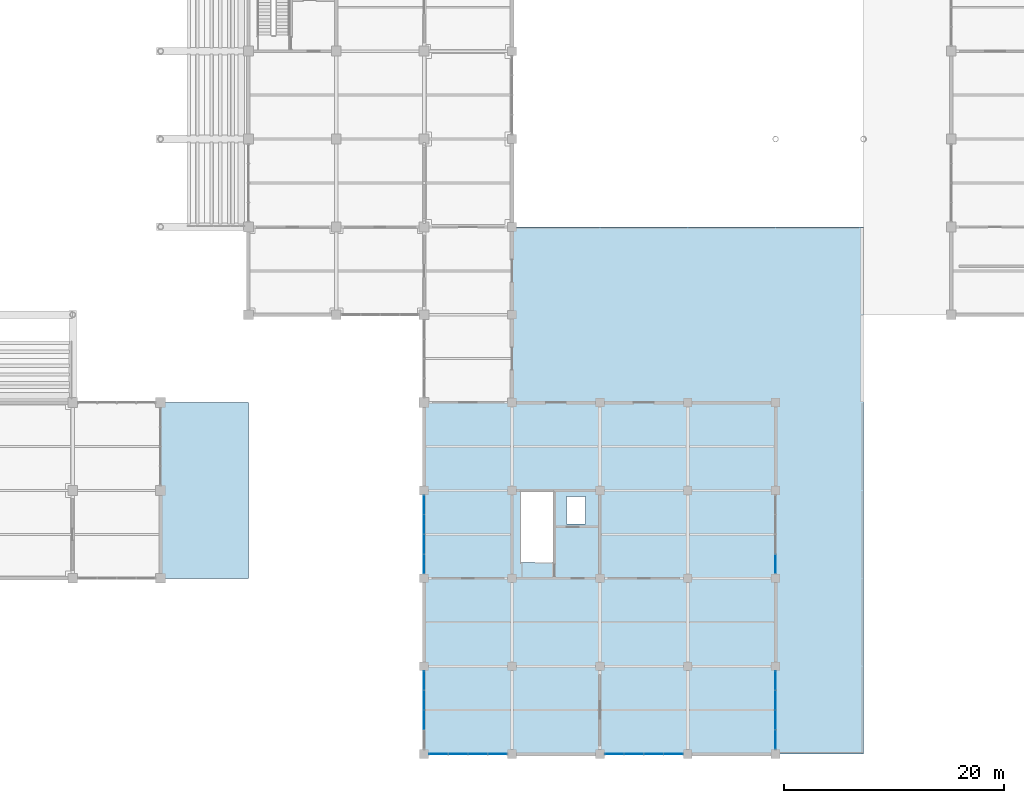
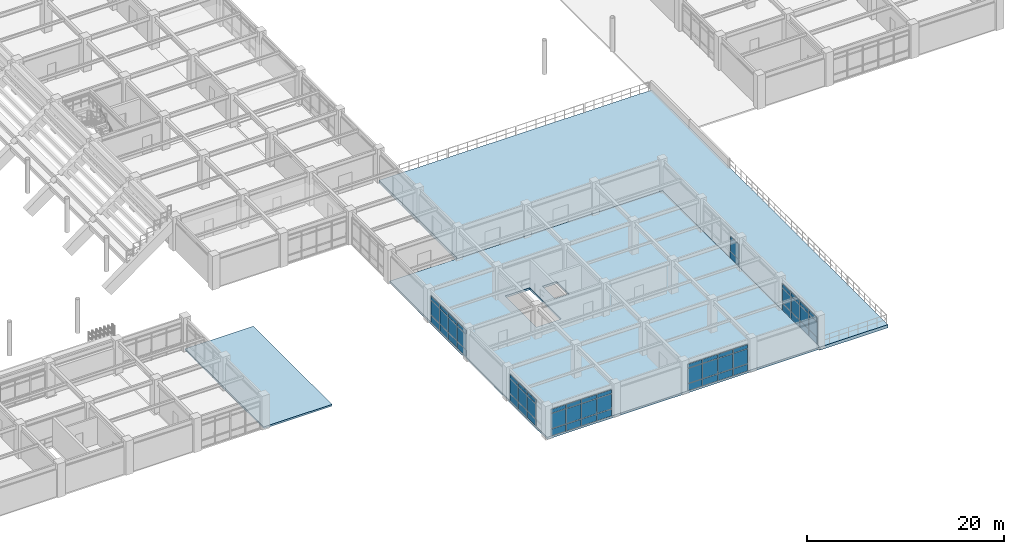
# One storey, part 72 of 118: 59 plates, 3 slabs, 6 elements without a shape of their own.
"""IFC4 building model written with IfcOpenShell, lengths in metres."""

from ifc_helpers import new_model, si_unit, direction, frame, origin, origin_2d, place, context, subcontext, project, spatial, polyline, rectangle, outline, extrude, material, layer, layer_set, type_object, element, aggregate, save


model = new_model("IFC4")

# Units and contexts
model_context = context("Model", 3, precision=1e-05, world=origin(), true_north=direction((0.0, 1.0)))
body_context = subcontext(model_context, "Body", "Model", "MODEL_VIEW")
ifc_project = project(units=[si_unit("LENGTHUNIT", "METRE"), si_unit("AREAUNIT", "SQUARE_METRE"), si_unit("VOLUMEUNIT", "CUBIC_METRE"), si_unit("PLANEANGLEUNIT", "RADIAN"), si_unit("MASSUNIT", "GRAM", prefix="KILO")], contexts=[model_context])

# Site, building, storey
site_placement = place(None, origin())
site = spatial("IfcSite", under=ifc_project, at=site_placement, CompositionType="ELEMENT")
building_placement = place(site_placement, origin())
building = spatial("IfcBuilding", under=site, at=building_placement, Name="Haebicheon Civic Stadium", CompositionType="ELEMENT")
storey_placement = place(building_placement, frame((0.0, 0.0, 14.39990234375)))
storey = spatial("IfcBuildingStorey", under=building, at=storey_placement, Name="L04", CompositionType="ELEMENT", Elevation=14.39990234375)

# Curtain wall, plates
ifc_material_1 = material(Name="Anodised aluminium and laminated glass", Category="aluminium")
ifc_layer_1 = layer(ifc_material_1, 0.179931640625, Name="Anodised aluminium and laminated glass")
ifc_layer_set_1 = layer_set([ifc_layer_1], Name="Anodised aluminium and laminated glass")
curtain_wall_type = type_object("IfcCurtainWallType", Name="CW-7200x3350", PredefinedType="NOTDEFINED", material=ifc_layer_set_1)
curtain_wall_1_placement = place(storey_placement, origin())
curtain_wall_1 = element("IfcCurtainWall", 1, at=curtain_wall_1_placement, inside=storey, type_object=curtain_wall_type, material=ifc_layer_set_1, Name="L04 unitised curtain wall 150", PredefinedType="NOTDEFINED")
ifc_material_2 = material(Name="Double low-e acoustic laminated glass", Category="glass")
ifc_layer_2 = layer(ifc_material_2, 0.035888671875, Name="Double low-e acoustic laminated glass")
ifc_layer_set_2 = layer_set([ifc_layer_2], Name="Double low-e acoustic laminated glass")
plate_type_1 = type_object("IfcPlateType", Name="CWP-GLZ-36", PredefinedType="CURTAIN_PANEL", material=ifc_layer_set_2)
plate_1_placement = place(storey_placement, frame((161.318115234375, 0.0, 0.93505859375), z_axis=(0.0, 0.0, 1.0), x_axis=(1.0, 0.0, 0.0)))
plate_1 = element("IfcPlate", 2, at=plate_1_placement, type_object=plate_type_1, material=ifc_layer_set_2, Name="CW-L04-150 vision panel 1.2", PredefinedType="CURTAIN_PANEL", context=body_context, shape_type="SweptSolid", body=[
    extrude(rectangle(XDim=1.695068359375, YDim=0.035888671875, at=origin_2d()), origin(), (0.0, 0.0, 1.0), 1.830078125),
])
plate_2_placement = place(storey_placement, frame((163.10009765625, 0.0, 0.93505859375), z_axis=(0.0, 0.0, 1.0), x_axis=(1.0, 0.0, 0.0)))
plate_2 = element("IfcPlate", 3, at=plate_2_placement, type_object=plate_type_1, material=ifc_layer_set_2, Name="CW-L04-150 vision panel 2.2", PredefinedType="CURTAIN_PANEL", context=body_context, shape_type="SweptSolid", body=[
    extrude(rectangle(XDim=1.72998046875, YDim=0.035888671875, at=origin_2d()), origin(), (0.0, 0.0, 1.0), 1.830078125),
])
plate_3_placement = place(storey_placement, frame((164.89990234375, 0.0, 0.93505859375), z_axis=(0.0, 0.0, 1.0), x_axis=(1.0, 0.0, 0.0)))
plate_3 = element("IfcPlate", 4, at=plate_3_placement, type_object=plate_type_1, material=ifc_layer_set_2, Name="CW-L04-150 vision panel 3.2", PredefinedType="CURTAIN_PANEL", context=body_context, shape_type="SweptSolid", body=[
    extrude(rectangle(XDim=1.72998046875, YDim=0.035888671875, at=origin_2d()), origin(), (0.0, 0.0, 1.0), 1.830078125),
])
plate_4_placement = place(storey_placement, frame((166.681884765625, 0.0, 0.93505859375), z_axis=(0.0, 0.0, 1.0), x_axis=(1.0, 0.0, 0.0)))
plate_4 = element("IfcPlate", 5, at=plate_4_placement, type_object=plate_type_1, material=ifc_layer_set_2, Name="CW-L04-150 vision panel 4.2", PredefinedType="CURTAIN_PANEL", context=body_context, shape_type="SweptSolid", body=[
    extrude(rectangle(XDim=1.695068359375, YDim=0.035888671875, at=origin_2d()), origin(), (0.0, 0.0, 1.0), 1.830078125),
])

curtain_wall_2_placement = place(storey_placement, origin())
curtain_wall_2 = element("IfcCurtainWall", 6, at=curtain_wall_2_placement, inside=storey, type_object=curtain_wall_type, material=ifc_layer_set_1, Name="L04 unitised curtain wall 151", PredefinedType="NOTDEFINED")
plate_5_placement = place(storey_placement, frame((160.0, 3.10009765625, 0.93505859375), z_axis=(0.0, 0.0, 1.0), x_axis=(0.0, 1.0, 0.0)))
plate_5 = element("IfcPlate", 7, at=plate_5_placement, type_object=plate_type_1, material=ifc_layer_set_2, Name="CW-L04-151 vision panel 2.2", PredefinedType="CURTAIN_PANEL", context=body_context, shape_type="SweptSolid", body=[
    extrude(rectangle(XDim=1.72998046875, YDim=0.035888671875, at=origin_2d()), origin(), (0.0, 0.0, 1.0), 1.830078125),
])
plate_6_placement = place(storey_placement, frame((160.0, 4.89990234375, 0.93505859375), z_axis=(0.0, 0.0, 1.0), x_axis=(0.0, 1.0, 0.0)))
plate_6 = element("IfcPlate", 8, at=plate_6_placement, type_object=plate_type_1, material=ifc_layer_set_2, Name="CW-L04-151 vision panel 3.2", PredefinedType="CURTAIN_PANEL", context=body_context, shape_type="SweptSolid", body=[
    extrude(rectangle(XDim=1.72998046875, YDim=0.035888671875, at=origin_2d()), origin(), (0.0, 0.0, 1.0), 1.830078125),
])
plate_7_placement = place(storey_placement, frame((160.0, 6.681884765625, 0.93505859375), z_axis=(0.0, 0.0, 1.0), x_axis=(0.0, 1.0, 0.0)))
plate_7 = element("IfcPlate", 9, at=plate_7_placement, type_object=plate_type_1, material=ifc_layer_set_2, Name="CW-L04-151 vision panel 4.2", PredefinedType="CURTAIN_PANEL", context=body_context, shape_type="SweptSolid", body=[
    extrude(rectangle(XDim=1.695068359375, YDim=0.035888671875, at=origin_2d()), origin(), (0.0, 0.0, 1.0), 1.830078125),
])

curtain_wall_3_placement = place(storey_placement, origin())
curtain_wall_3 = element("IfcCurtainWall", 10, at=curtain_wall_3_placement, inside=storey, type_object=curtain_wall_type, material=ifc_layer_set_1, Name="L04 unitised curtain wall 152", PredefinedType="NOTDEFINED")
plate_8_placement = place(storey_placement, frame((160.0, 17.318115234375, 0.93505859375), z_axis=(0.0, 0.0, 1.0), x_axis=(0.0, 1.0, 0.0)))
plate_8 = element("IfcPlate", 11, at=plate_8_placement, type_object=plate_type_1, material=ifc_layer_set_2, Name="CW-L04-152 vision panel 1.2", PredefinedType="CURTAIN_PANEL", context=body_context, shape_type="SweptSolid", body=[
    extrude(rectangle(XDim=1.695068359375, YDim=0.035888671875, at=origin_2d()), origin(), (0.0, 0.0, 1.0), 1.830078125),
])
plate_9_placement = place(storey_placement, frame((160.0, 19.10009765625, 0.93505859375), z_axis=(0.0, 0.0, 1.0), x_axis=(0.0, 1.0, 0.0)))
plate_9 = element("IfcPlate", 12, at=plate_9_placement, type_object=plate_type_1, material=ifc_layer_set_2, Name="CW-L04-152 vision panel 2.2", PredefinedType="CURTAIN_PANEL", context=body_context, shape_type="SweptSolid", body=[
    extrude(rectangle(XDim=1.72998046875, YDim=0.035888671875, at=origin_2d()), origin(), (0.0, 0.0, 1.0), 1.830078125),
])
plate_10_placement = place(storey_placement, frame((160.0, 20.89990234375, 0.93505859375), z_axis=(0.0, 0.0, 1.0), x_axis=(0.0, 1.0, 0.0)))
plate_10 = element("IfcPlate", 13, at=plate_10_placement, type_object=plate_type_1, material=ifc_layer_set_2, Name="CW-L04-152 vision panel 3.2", PredefinedType="CURTAIN_PANEL", context=body_context, shape_type="SweptSolid", body=[
    extrude(rectangle(XDim=1.72998046875, YDim=0.035888671875, at=origin_2d()), origin(), (0.0, 0.0, 1.0), 1.830078125),
])
plate_11_placement = place(storey_placement, frame((160.0, 22.681884765625, 0.93505859375), z_axis=(0.0, 0.0, 1.0), x_axis=(0.0, 1.0, 0.0)))
plate_11 = element("IfcPlate", 14, at=plate_11_placement, type_object=plate_type_1, material=ifc_layer_set_2, Name="CW-L04-152 vision panel 4.2", PredefinedType="CURTAIN_PANEL", context=body_context, shape_type="SweptSolid", body=[
    extrude(rectangle(XDim=1.695068359375, YDim=0.035888671875, at=origin_2d()), origin(), (0.0, 0.0, 1.0), 1.830078125),
])

curtain_wall_4_placement = place(storey_placement, origin())
curtain_wall_4 = element("IfcCurtainWall", 15, at=curtain_wall_4_placement, inside=storey, type_object=curtain_wall_type, material=ifc_layer_set_1, Name="L04 unitised curtain wall 162", PredefinedType="NOTDEFINED")
plate_12_placement = place(storey_placement, frame((177.318115234375, 0.0, 0.93505859375), z_axis=(0.0, 0.0, 1.0), x_axis=(1.0, 0.0, 0.0)))
plate_12 = element("IfcPlate", 16, at=plate_12_placement, type_object=plate_type_1, material=ifc_layer_set_2, Name="CW-L04-162 vision panel 1.2", PredefinedType="CURTAIN_PANEL", context=body_context, shape_type="SweptSolid", body=[
    extrude(rectangle(XDim=1.695068359375, YDim=0.035888671875, at=origin_2d()), origin(), (0.0, 0.0, 1.0), 1.830078125),
])
plate_13_placement = place(storey_placement, frame((179.10009765625, 0.0, 0.93505859375), z_axis=(0.0, 0.0, 1.0), x_axis=(1.0, 0.0, 0.0)))
plate_13 = element("IfcPlate", 17, at=plate_13_placement, type_object=plate_type_1, material=ifc_layer_set_2, Name="CW-L04-162 vision panel 2.2", PredefinedType="CURTAIN_PANEL", context=body_context, shape_type="SweptSolid", body=[
    extrude(rectangle(XDim=1.72998046875, YDim=0.035888671875, at=origin_2d()), origin(), (0.0, 0.0, 1.0), 1.830078125),
])
plate_14_placement = place(storey_placement, frame((180.89990234375, 0.0, 0.93505859375), z_axis=(0.0, 0.0, 1.0), x_axis=(1.0, 0.0, 0.0)))
plate_14 = element("IfcPlate", 18, at=plate_14_placement, type_object=plate_type_1, material=ifc_layer_set_2, Name="CW-L04-162 vision panel 3.2", PredefinedType="CURTAIN_PANEL", context=body_context, shape_type="SweptSolid", body=[
    extrude(rectangle(XDim=1.72998046875, YDim=0.035888671875, at=origin_2d()), origin(), (0.0, 0.0, 1.0), 1.830078125),
])
plate_15_placement = place(storey_placement, frame((182.681884765625, 0.0, 0.93505859375), z_axis=(0.0, 0.0, 1.0), x_axis=(1.0, 0.0, 0.0)))
plate_15 = element("IfcPlate", 19, at=plate_15_placement, type_object=plate_type_1, material=ifc_layer_set_2, Name="CW-L04-162 vision panel 4.2", PredefinedType="CURTAIN_PANEL", context=body_context, shape_type="SweptSolid", body=[
    extrude(rectangle(XDim=1.695068359375, YDim=0.035888671875, at=origin_2d()), origin(), (0.0, 0.0, 1.0), 1.830078125),
])

curtain_wall_5_placement = place(storey_placement, origin())
curtain_wall_5 = element("IfcCurtainWall", 20, at=curtain_wall_5_placement, inside=storey, type_object=curtain_wall_type, material=ifc_layer_set_1, Name="L04 unitised curtain wall 165", PredefinedType="NOTDEFINED")
plate_16_placement = place(storey_placement, frame((192.0, 1.318115234375, 0.93505859375), z_axis=(0.0, 0.0, 1.0), x_axis=(0.0, 1.0, 0.0)))
plate_16 = element("IfcPlate", 21, at=plate_16_placement, type_object=plate_type_1, material=ifc_layer_set_2, Name="CW-L04-165 vision panel 1.2", PredefinedType="CURTAIN_PANEL", context=body_context, shape_type="SweptSolid", body=[
    extrude(rectangle(XDim=1.695068359375, YDim=0.035888671875, at=origin_2d()), origin(), (0.0, 0.0, 1.0), 1.830078125),
])
plate_17_placement = place(storey_placement, frame((192.0, 3.10009765625, 0.93505859375), z_axis=(0.0, 0.0, 1.0), x_axis=(0.0, 1.0, 0.0)))
plate_17 = element("IfcPlate", 22, at=plate_17_placement, type_object=plate_type_1, material=ifc_layer_set_2, Name="CW-L04-165 vision panel 2.2", PredefinedType="CURTAIN_PANEL", context=body_context, shape_type="SweptSolid", body=[
    extrude(rectangle(XDim=1.72998046875, YDim=0.035888671875, at=origin_2d()), origin(), (0.0, 0.0, 1.0), 1.830078125),
])
plate_18_placement = place(storey_placement, frame((192.0, 4.89990234375, 0.93505859375), z_axis=(0.0, 0.0, 1.0), x_axis=(0.0, 1.0, 0.0)))
plate_18 = element("IfcPlate", 23, at=plate_18_placement, type_object=plate_type_1, material=ifc_layer_set_2, Name="CW-L04-165 vision panel 3.2", PredefinedType="CURTAIN_PANEL", context=body_context, shape_type="SweptSolid", body=[
    extrude(rectangle(XDim=1.72998046875, YDim=0.035888671875, at=origin_2d()), origin(), (0.0, 0.0, 1.0), 1.830078125),
])
plate_19_placement = place(storey_placement, frame((192.0, 6.681884765625, 0.93505859375), z_axis=(0.0, 0.0, 1.0), x_axis=(0.0, 1.0, 0.0)))
plate_19 = element("IfcPlate", 24, at=plate_19_placement, type_object=plate_type_1, material=ifc_layer_set_2, Name="CW-L04-165 vision panel 4.2", PredefinedType="CURTAIN_PANEL", context=body_context, shape_type="SweptSolid", body=[
    extrude(rectangle(XDim=1.695068359375, YDim=0.035888671875, at=origin_2d()), origin(), (0.0, 0.0, 1.0), 1.830078125),
])

# Curtain wall, plate
curtain_wall_6_placement = place(storey_placement, origin())
curtain_wall_6 = element("IfcCurtainWall", 25, at=curtain_wall_6_placement, inside=storey, type_object=curtain_wall_type, material=ifc_layer_set_1, Name="L04 unitised curtain wall 166", PredefinedType="NOTDEFINED")
plate_20_placement = place(storey_placement, frame((192.0, 17.318115234375, 0.93505859375), z_axis=(0.0, 0.0, 1.0), x_axis=(0.0, 1.0, 0.0)))
plate_20 = element("IfcPlate", 26, at=plate_20_placement, type_object=plate_type_1, material=ifc_layer_set_2, Name="CW-L04-166 vision panel 1.2", PredefinedType="CURTAIN_PANEL", context=body_context, shape_type="SweptSolid", body=[
    extrude(rectangle(XDim=1.695068359375, YDim=0.035888671875, at=origin_2d()), origin(), (0.0, 0.0, 1.0), 1.830078125),
])

# Plate
ifc_material_3 = material(Name="Anodised aluminium 6063-T6", Category="aluminium")
ifc_layer_3 = layer(ifc_material_3, 0.053955078125, Name="Anodised aluminium 6063-T6")
ifc_layer_set_3 = layer_set([ifc_layer_3], Name="Anodised aluminium 6063-T6")
plate_type_2 = type_object("IfcPlateType", Name="CWP-SPD-54", PredefinedType="CURTAIN_PANEL", material=ifc_layer_set_3)
plate_21_placement = place(storey_placement, frame((161.318115234375, 0.0, 0.03515625), z_axis=(0.0, 0.0, 1.0), x_axis=(1.0, 0.0, 0.0)))
plate_21 = element("IfcPlate", 27, at=plate_21_placement, type_object=plate_type_2, material=ifc_layer_set_3, Name="CW-L04-150 spandrel panel 1.1", PredefinedType="CURTAIN_PANEL", context=body_context, shape_type="SweptSolid", body=[
    extrude(rectangle(XDim=1.695068359375, YDim=0.053955078125, at=origin_2d()), origin(), (0.0, 0.0, 1.0), 0.830078125),
])

plate_22_placement = place(storey_placement, frame((161.318115234375, 0.0, 2.835205078125), z_axis=(0.0, 0.0, 1.0), x_axis=(1.0, 0.0, 0.0)))
plate_22 = element("IfcPlate", 28, at=plate_22_placement, type_object=plate_type_2, material=ifc_layer_set_3, Name="CW-L04-150 spandrel panel 1.3", PredefinedType="CURTAIN_PANEL", context=body_context, shape_type="SweptSolid", body=[
    extrude(rectangle(XDim=1.695068359375, YDim=0.053955078125, at=origin_2d()), origin(), (0.0, 0.0, 1.0), 0.47998046875),
])

plate_23_placement = place(storey_placement, frame((163.10009765625, 0.0, 0.03515625), z_axis=(0.0, 0.0, 1.0), x_axis=(1.0, 0.0, 0.0)))
plate_23 = element("IfcPlate", 29, at=plate_23_placement, type_object=plate_type_2, material=ifc_layer_set_3, Name="CW-L04-150 spandrel panel 2.1", PredefinedType="CURTAIN_PANEL", context=body_context, shape_type="SweptSolid", body=[
    extrude(rectangle(XDim=1.72998046875, YDim=0.053955078125, at=origin_2d()), origin(), (0.0, 0.0, 1.0), 0.830078125),
])

plate_24_placement = place(storey_placement, frame((163.10009765625, 0.0, 2.835205078125), z_axis=(0.0, 0.0, 1.0), x_axis=(1.0, 0.0, 0.0)))
plate_24 = element("IfcPlate", 30, at=plate_24_placement, type_object=plate_type_2, material=ifc_layer_set_3, Name="CW-L04-150 spandrel panel 2.3", PredefinedType="CURTAIN_PANEL", context=body_context, shape_type="SweptSolid", body=[
    extrude(rectangle(XDim=1.72998046875, YDim=0.053955078125, at=origin_2d()), origin(), (0.0, 0.0, 1.0), 0.47998046875),
])

plate_25_placement = place(storey_placement, frame((164.89990234375, 0.0, 0.03515625), z_axis=(0.0, 0.0, 1.0), x_axis=(1.0, 0.0, 0.0)))
plate_25 = element("IfcPlate", 31, at=plate_25_placement, type_object=plate_type_2, material=ifc_layer_set_3, Name="CW-L04-150 spandrel panel 3.1", PredefinedType="CURTAIN_PANEL", context=body_context, shape_type="SweptSolid", body=[
    extrude(rectangle(XDim=1.72998046875, YDim=0.053955078125, at=origin_2d()), origin(), (0.0, 0.0, 1.0), 0.830078125),
])

plate_26_placement = place(storey_placement, frame((164.89990234375, 0.0, 2.835205078125), z_axis=(0.0, 0.0, 1.0), x_axis=(1.0, 0.0, 0.0)))
plate_26 = element("IfcPlate", 32, at=plate_26_placement, type_object=plate_type_2, material=ifc_layer_set_3, Name="CW-L04-150 spandrel panel 3.3", PredefinedType="CURTAIN_PANEL", context=body_context, shape_type="SweptSolid", body=[
    extrude(rectangle(XDim=1.72998046875, YDim=0.053955078125, at=origin_2d()), origin(), (0.0, 0.0, 1.0), 0.47998046875),
])

plate_27_placement = place(storey_placement, frame((166.681884765625, 0.0, 0.03515625), z_axis=(0.0, 0.0, 1.0), x_axis=(1.0, 0.0, 0.0)))
plate_27 = element("IfcPlate", 33, at=plate_27_placement, type_object=plate_type_2, material=ifc_layer_set_3, Name="CW-L04-150 spandrel panel 4.1", PredefinedType="CURTAIN_PANEL", context=body_context, shape_type="SweptSolid", body=[
    extrude(rectangle(XDim=1.695068359375, YDim=0.053955078125, at=origin_2d()), origin(), (0.0, 0.0, 1.0), 0.830078125),
])

plate_28_placement = place(storey_placement, frame((166.681884765625, 0.0, 2.835205078125), z_axis=(0.0, 0.0, 1.0), x_axis=(1.0, 0.0, 0.0)))
plate_28 = element("IfcPlate", 34, at=plate_28_placement, type_object=plate_type_2, material=ifc_layer_set_3, Name="CW-L04-150 spandrel panel 4.3", PredefinedType="CURTAIN_PANEL", context=body_context, shape_type="SweptSolid", body=[
    extrude(rectangle(XDim=1.695068359375, YDim=0.053955078125, at=origin_2d()), origin(), (0.0, 0.0, 1.0), 0.47998046875),
])

aggregate(curtain_wall_1, [plate_21, plate_1, plate_22, plate_23, plate_2, plate_24, plate_25, plate_3, plate_26, plate_27, plate_4, plate_28])

plate_29_placement = place(storey_placement, frame((160.0, 3.10009765625, 0.03515625), z_axis=(0.0, 0.0, 1.0), x_axis=(0.0, 1.0, 0.0)))
plate_29 = element("IfcPlate", 35, at=plate_29_placement, type_object=plate_type_2, material=ifc_layer_set_3, Name="CW-L04-151 spandrel panel 2.1", PredefinedType="CURTAIN_PANEL", context=body_context, shape_type="SweptSolid", body=[
    extrude(rectangle(XDim=1.72998046875, YDim=0.053955078125, at=origin_2d()), origin(), (0.0, 0.0, 1.0), 0.830078125),
])

plate_30_placement = place(storey_placement, frame((160.0, 3.10009765625, 2.835205078125), z_axis=(0.0, 0.0, 1.0), x_axis=(0.0, 1.0, 0.0)))
plate_30 = element("IfcPlate", 36, at=plate_30_placement, type_object=plate_type_2, material=ifc_layer_set_3, Name="CW-L04-151 spandrel panel 2.3", PredefinedType="CURTAIN_PANEL", context=body_context, shape_type="SweptSolid", body=[
    extrude(rectangle(XDim=1.72998046875, YDim=0.053955078125, at=origin_2d()), origin(), (0.0, 0.0, 1.0), 0.47998046875),
])

plate_31_placement = place(storey_placement, frame((160.0, 4.89990234375, 0.03515625), z_axis=(0.0, 0.0, 1.0), x_axis=(0.0, 1.0, 0.0)))
plate_31 = element("IfcPlate", 37, at=plate_31_placement, type_object=plate_type_2, material=ifc_layer_set_3, Name="CW-L04-151 spandrel panel 3.1", PredefinedType="CURTAIN_PANEL", context=body_context, shape_type="SweptSolid", body=[
    extrude(rectangle(XDim=1.72998046875, YDim=0.053955078125, at=origin_2d()), origin(), (0.0, 0.0, 1.0), 0.830078125),
])

plate_32_placement = place(storey_placement, frame((160.0, 4.89990234375, 2.835205078125), z_axis=(0.0, 0.0, 1.0), x_axis=(0.0, 1.0, 0.0)))
plate_32 = element("IfcPlate", 38, at=plate_32_placement, type_object=plate_type_2, material=ifc_layer_set_3, Name="CW-L04-151 spandrel panel 3.3", PredefinedType="CURTAIN_PANEL", context=body_context, shape_type="SweptSolid", body=[
    extrude(rectangle(XDim=1.72998046875, YDim=0.053955078125, at=origin_2d()), origin(), (0.0, 0.0, 1.0), 0.47998046875),
])

plate_33_placement = place(storey_placement, frame((160.0, 6.681884765625, 0.03515625), z_axis=(0.0, 0.0, 1.0), x_axis=(0.0, 1.0, 0.0)))
plate_33 = element("IfcPlate", 39, at=plate_33_placement, type_object=plate_type_2, material=ifc_layer_set_3, Name="CW-L04-151 spandrel panel 4.1", PredefinedType="CURTAIN_PANEL", context=body_context, shape_type="SweptSolid", body=[
    extrude(rectangle(XDim=1.695068359375, YDim=0.053955078125, at=origin_2d()), origin(), (0.0, 0.0, 1.0), 0.830078125),
])

plate_34_placement = place(storey_placement, frame((160.0, 6.681884765625, 2.835205078125), z_axis=(0.0, 0.0, 1.0), x_axis=(0.0, 1.0, 0.0)))
plate_34 = element("IfcPlate", 40, at=plate_34_placement, type_object=plate_type_2, material=ifc_layer_set_3, Name="CW-L04-151 spandrel panel 4.3", PredefinedType="CURTAIN_PANEL", context=body_context, shape_type="SweptSolid", body=[
    extrude(rectangle(XDim=1.695068359375, YDim=0.053955078125, at=origin_2d()), origin(), (0.0, 0.0, 1.0), 0.47998046875),
])

aggregate(curtain_wall_2, [plate_29, plate_5, plate_30, plate_31, plate_6, plate_32, plate_33, plate_7, plate_34])

plate_35_placement = place(storey_placement, frame((160.0, 17.318115234375, 0.03515625), z_axis=(0.0, 0.0, 1.0), x_axis=(0.0, 1.0, 0.0)))
plate_35 = element("IfcPlate", 41, at=plate_35_placement, type_object=plate_type_2, material=ifc_layer_set_3, Name="CW-L04-152 spandrel panel 1.1", PredefinedType="CURTAIN_PANEL", context=body_context, shape_type="SweptSolid", body=[
    extrude(rectangle(XDim=1.695068359375, YDim=0.053955078125, at=origin_2d()), origin(), (0.0, 0.0, 1.0), 0.830078125),
])

plate_36_placement = place(storey_placement, frame((160.0, 17.318115234375, 2.835205078125), z_axis=(0.0, 0.0, 1.0), x_axis=(0.0, 1.0, 0.0)))
plate_36 = element("IfcPlate", 42, at=plate_36_placement, type_object=plate_type_2, material=ifc_layer_set_3, Name="CW-L04-152 spandrel panel 1.3", PredefinedType="CURTAIN_PANEL", context=body_context, shape_type="SweptSolid", body=[
    extrude(rectangle(XDim=1.695068359375, YDim=0.053955078125, at=origin_2d()), origin(), (0.0, 0.0, 1.0), 0.47998046875),
])

plate_37_placement = place(storey_placement, frame((160.0, 19.10009765625, 0.03515625), z_axis=(0.0, 0.0, 1.0), x_axis=(0.0, 1.0, 0.0)))
plate_37 = element("IfcPlate", 43, at=plate_37_placement, type_object=plate_type_2, material=ifc_layer_set_3, Name="CW-L04-152 spandrel panel 2.1", PredefinedType="CURTAIN_PANEL", context=body_context, shape_type="SweptSolid", body=[
    extrude(rectangle(XDim=1.72998046875, YDim=0.053955078125, at=origin_2d()), origin(), (0.0, 0.0, 1.0), 0.830078125),
])

plate_38_placement = place(storey_placement, frame((160.0, 19.10009765625, 2.835205078125), z_axis=(0.0, 0.0, 1.0), x_axis=(0.0, 1.0, 0.0)))
plate_38 = element("IfcPlate", 44, at=plate_38_placement, type_object=plate_type_2, material=ifc_layer_set_3, Name="CW-L04-152 spandrel panel 2.3", PredefinedType="CURTAIN_PANEL", context=body_context, shape_type="SweptSolid", body=[
    extrude(rectangle(XDim=1.72998046875, YDim=0.053955078125, at=origin_2d()), origin(), (0.0, 0.0, 1.0), 0.47998046875),
])

plate_39_placement = place(storey_placement, frame((160.0, 20.89990234375, 0.03515625), z_axis=(0.0, 0.0, 1.0), x_axis=(0.0, 1.0, 0.0)))
plate_39 = element("IfcPlate", 45, at=plate_39_placement, type_object=plate_type_2, material=ifc_layer_set_3, Name="CW-L04-152 spandrel panel 3.1", PredefinedType="CURTAIN_PANEL", context=body_context, shape_type="SweptSolid", body=[
    extrude(rectangle(XDim=1.72998046875, YDim=0.053955078125, at=origin_2d()), origin(), (0.0, 0.0, 1.0), 0.830078125),
])

plate_40_placement = place(storey_placement, frame((160.0, 20.89990234375, 2.835205078125), z_axis=(0.0, 0.0, 1.0), x_axis=(0.0, 1.0, 0.0)))
plate_40 = element("IfcPlate", 46, at=plate_40_placement, type_object=plate_type_2, material=ifc_layer_set_3, Name="CW-L04-152 spandrel panel 3.3", PredefinedType="CURTAIN_PANEL", context=body_context, shape_type="SweptSolid", body=[
    extrude(rectangle(XDim=1.72998046875, YDim=0.053955078125, at=origin_2d()), origin(), (0.0, 0.0, 1.0), 0.47998046875),
])

plate_41_placement = place(storey_placement, frame((160.0, 22.681884765625, 0.03515625), z_axis=(0.0, 0.0, 1.0), x_axis=(0.0, 1.0, 0.0)))
plate_41 = element("IfcPlate", 47, at=plate_41_placement, type_object=plate_type_2, material=ifc_layer_set_3, Name="CW-L04-152 spandrel panel 4.1", PredefinedType="CURTAIN_PANEL", context=body_context, shape_type="SweptSolid", body=[
    extrude(rectangle(XDim=1.695068359375, YDim=0.053955078125, at=origin_2d()), origin(), (0.0, 0.0, 1.0), 0.830078125),
])

plate_42_placement = place(storey_placement, frame((160.0, 22.681884765625, 2.835205078125), z_axis=(0.0, 0.0, 1.0), x_axis=(0.0, 1.0, 0.0)))
plate_42 = element("IfcPlate", 48, at=plate_42_placement, type_object=plate_type_2, material=ifc_layer_set_3, Name="CW-L04-152 spandrel panel 4.3", PredefinedType="CURTAIN_PANEL", context=body_context, shape_type="SweptSolid", body=[
    extrude(rectangle(XDim=1.695068359375, YDim=0.053955078125, at=origin_2d()), origin(), (0.0, 0.0, 1.0), 0.47998046875),
])

aggregate(curtain_wall_3, [plate_35, plate_8, plate_36, plate_37, plate_9, plate_38, plate_39, plate_10, plate_40, plate_41, plate_11, plate_42])

plate_43_placement = place(storey_placement, frame((177.318115234375, 0.0, 0.03515625), z_axis=(0.0, 0.0, 1.0), x_axis=(1.0, 0.0, 0.0)))
plate_43 = element("IfcPlate", 49, at=plate_43_placement, type_object=plate_type_2, material=ifc_layer_set_3, Name="CW-L04-162 spandrel panel 1.1", PredefinedType="CURTAIN_PANEL", context=body_context, shape_type="SweptSolid", body=[
    extrude(rectangle(XDim=1.695068359375, YDim=0.053955078125, at=origin_2d()), origin(), (0.0, 0.0, 1.0), 0.830078125),
])

plate_44_placement = place(storey_placement, frame((177.318115234375, 0.0, 2.835205078125), z_axis=(0.0, 0.0, 1.0), x_axis=(1.0, 0.0, 0.0)))
plate_44 = element("IfcPlate", 50, at=plate_44_placement, type_object=plate_type_2, material=ifc_layer_set_3, Name="CW-L04-162 spandrel panel 1.3", PredefinedType="CURTAIN_PANEL", context=body_context, shape_type="SweptSolid", body=[
    extrude(rectangle(XDim=1.695068359375, YDim=0.053955078125, at=origin_2d()), origin(), (0.0, 0.0, 1.0), 0.47998046875),
])

plate_45_placement = place(storey_placement, frame((179.10009765625, 0.0, 0.03515625), z_axis=(0.0, 0.0, 1.0), x_axis=(1.0, 0.0, 0.0)))
plate_45 = element("IfcPlate", 51, at=plate_45_placement, type_object=plate_type_2, material=ifc_layer_set_3, Name="CW-L04-162 spandrel panel 2.1", PredefinedType="CURTAIN_PANEL", context=body_context, shape_type="SweptSolid", body=[
    extrude(rectangle(XDim=1.72998046875, YDim=0.053955078125, at=origin_2d()), origin(), (0.0, 0.0, 1.0), 0.830078125),
])

plate_46_placement = place(storey_placement, frame((179.10009765625, 0.0, 2.835205078125), z_axis=(0.0, 0.0, 1.0), x_axis=(1.0, 0.0, 0.0)))
plate_46 = element("IfcPlate", 52, at=plate_46_placement, type_object=plate_type_2, material=ifc_layer_set_3, Name="CW-L04-162 spandrel panel 2.3", PredefinedType="CURTAIN_PANEL", context=body_context, shape_type="SweptSolid", body=[
    extrude(rectangle(XDim=1.72998046875, YDim=0.053955078125, at=origin_2d()), origin(), (0.0, 0.0, 1.0), 0.47998046875),
])

plate_47_placement = place(storey_placement, frame((180.89990234375, 0.0, 0.03515625), z_axis=(0.0, 0.0, 1.0), x_axis=(1.0, 0.0, 0.0)))
plate_47 = element("IfcPlate", 53, at=plate_47_placement, type_object=plate_type_2, material=ifc_layer_set_3, Name="CW-L04-162 spandrel panel 3.1", PredefinedType="CURTAIN_PANEL", context=body_context, shape_type="SweptSolid", body=[
    extrude(rectangle(XDim=1.72998046875, YDim=0.053955078125, at=origin_2d()), origin(), (0.0, 0.0, 1.0), 0.830078125),
])

plate_48_placement = place(storey_placement, frame((180.89990234375, 0.0, 2.835205078125), z_axis=(0.0, 0.0, 1.0), x_axis=(1.0, 0.0, 0.0)))
plate_48 = element("IfcPlate", 54, at=plate_48_placement, type_object=plate_type_2, material=ifc_layer_set_3, Name="CW-L04-162 spandrel panel 3.3", PredefinedType="CURTAIN_PANEL", context=body_context, shape_type="SweptSolid", body=[
    extrude(rectangle(XDim=1.72998046875, YDim=0.053955078125, at=origin_2d()), origin(), (0.0, 0.0, 1.0), 0.47998046875),
])

plate_49_placement = place(storey_placement, frame((182.681884765625, 0.0, 0.03515625), z_axis=(0.0, 0.0, 1.0), x_axis=(1.0, 0.0, 0.0)))
plate_49 = element("IfcPlate", 55, at=plate_49_placement, type_object=plate_type_2, material=ifc_layer_set_3, Name="CW-L04-162 spandrel panel 4.1", PredefinedType="CURTAIN_PANEL", context=body_context, shape_type="SweptSolid", body=[
    extrude(rectangle(XDim=1.695068359375, YDim=0.053955078125, at=origin_2d()), origin(), (0.0, 0.0, 1.0), 0.830078125),
])

plate_50_placement = place(storey_placement, frame((182.681884765625, 0.0, 2.835205078125), z_axis=(0.0, 0.0, 1.0), x_axis=(1.0, 0.0, 0.0)))
plate_50 = element("IfcPlate", 56, at=plate_50_placement, type_object=plate_type_2, material=ifc_layer_set_3, Name="CW-L04-162 spandrel panel 4.3", PredefinedType="CURTAIN_PANEL", context=body_context, shape_type="SweptSolid", body=[
    extrude(rectangle(XDim=1.695068359375, YDim=0.053955078125, at=origin_2d()), origin(), (0.0, 0.0, 1.0), 0.47998046875),
])

aggregate(curtain_wall_4, [plate_43, plate_12, plate_44, plate_45, plate_13, plate_46, plate_47, plate_14, plate_48, plate_49, plate_15, plate_50])

plate_51_placement = place(storey_placement, frame((192.0, 1.318115234375, 0.03515625), z_axis=(0.0, 0.0, 1.0), x_axis=(0.0, 1.0, 0.0)))
plate_51 = element("IfcPlate", 57, at=plate_51_placement, type_object=plate_type_2, material=ifc_layer_set_3, Name="CW-L04-165 spandrel panel 1.1", PredefinedType="CURTAIN_PANEL", context=body_context, shape_type="SweptSolid", body=[
    extrude(rectangle(XDim=1.695068359375, YDim=0.053955078125, at=origin_2d()), origin(), (0.0, 0.0, 1.0), 0.830078125),
])

plate_52_placement = place(storey_placement, frame((192.0, 1.318115234375, 2.835205078125), z_axis=(0.0, 0.0, 1.0), x_axis=(0.0, 1.0, 0.0)))
plate_52 = element("IfcPlate", 58, at=plate_52_placement, type_object=plate_type_2, material=ifc_layer_set_3, Name="CW-L04-165 spandrel panel 1.3", PredefinedType="CURTAIN_PANEL", context=body_context, shape_type="SweptSolid", body=[
    extrude(rectangle(XDim=1.695068359375, YDim=0.053955078125, at=origin_2d()), origin(), (0.0, 0.0, 1.0), 0.47998046875),
])

plate_53_placement = place(storey_placement, frame((192.0, 3.10009765625, 0.03515625), z_axis=(0.0, 0.0, 1.0), x_axis=(0.0, 1.0, 0.0)))
plate_53 = element("IfcPlate", 59, at=plate_53_placement, type_object=plate_type_2, material=ifc_layer_set_3, Name="CW-L04-165 spandrel panel 2.1", PredefinedType="CURTAIN_PANEL", context=body_context, shape_type="SweptSolid", body=[
    extrude(rectangle(XDim=1.72998046875, YDim=0.053955078125, at=origin_2d()), origin(), (0.0, 0.0, 1.0), 0.830078125),
])

plate_54_placement = place(storey_placement, frame((192.0, 3.10009765625, 2.835205078125), z_axis=(0.0, 0.0, 1.0), x_axis=(0.0, 1.0, 0.0)))
plate_54 = element("IfcPlate", 60, at=plate_54_placement, type_object=plate_type_2, material=ifc_layer_set_3, Name="CW-L04-165 spandrel panel 2.3", PredefinedType="CURTAIN_PANEL", context=body_context, shape_type="SweptSolid", body=[
    extrude(rectangle(XDim=1.72998046875, YDim=0.053955078125, at=origin_2d()), origin(), (0.0, 0.0, 1.0), 0.47998046875),
])

plate_55_placement = place(storey_placement, frame((192.0, 4.89990234375, 0.03515625), z_axis=(0.0, 0.0, 1.0), x_axis=(0.0, 1.0, 0.0)))
plate_55 = element("IfcPlate", 61, at=plate_55_placement, type_object=plate_type_2, material=ifc_layer_set_3, Name="CW-L04-165 spandrel panel 3.1", PredefinedType="CURTAIN_PANEL", context=body_context, shape_type="SweptSolid", body=[
    extrude(rectangle(XDim=1.72998046875, YDim=0.053955078125, at=origin_2d()), origin(), (0.0, 0.0, 1.0), 0.830078125),
])

plate_56_placement = place(storey_placement, frame((192.0, 4.89990234375, 2.835205078125), z_axis=(0.0, 0.0, 1.0), x_axis=(0.0, 1.0, 0.0)))
plate_56 = element("IfcPlate", 62, at=plate_56_placement, type_object=plate_type_2, material=ifc_layer_set_3, Name="CW-L04-165 spandrel panel 3.3", PredefinedType="CURTAIN_PANEL", context=body_context, shape_type="SweptSolid", body=[
    extrude(rectangle(XDim=1.72998046875, YDim=0.053955078125, at=origin_2d()), origin(), (0.0, 0.0, 1.0), 0.47998046875),
])

plate_57_placement = place(storey_placement, frame((192.0, 6.681884765625, 0.03515625), z_axis=(0.0, 0.0, 1.0), x_axis=(0.0, 1.0, 0.0)))
plate_57 = element("IfcPlate", 63, at=plate_57_placement, type_object=plate_type_2, material=ifc_layer_set_3, Name="CW-L04-165 spandrel panel 4.1", PredefinedType="CURTAIN_PANEL", context=body_context, shape_type="SweptSolid", body=[
    extrude(rectangle(XDim=1.695068359375, YDim=0.053955078125, at=origin_2d()), origin(), (0.0, 0.0, 1.0), 0.830078125),
])

plate_58_placement = place(storey_placement, frame((192.0, 6.681884765625, 2.835205078125), z_axis=(0.0, 0.0, 1.0), x_axis=(0.0, 1.0, 0.0)))
plate_58 = element("IfcPlate", 64, at=plate_58_placement, type_object=plate_type_2, material=ifc_layer_set_3, Name="CW-L04-165 spandrel panel 4.3", PredefinedType="CURTAIN_PANEL", context=body_context, shape_type="SweptSolid", body=[
    extrude(rectangle(XDim=1.695068359375, YDim=0.053955078125, at=origin_2d()), origin(), (0.0, 0.0, 1.0), 0.47998046875),
])

aggregate(curtain_wall_5, [plate_51, plate_16, plate_52, plate_53, plate_17, plate_54, plate_55, plate_18, plate_56, plate_57, plate_19, plate_58])

plate_59_placement = place(storey_placement, frame((192.0, 17.318115234375, 0.03515625), z_axis=(0.0, 0.0, 1.0), x_axis=(0.0, 1.0, 0.0)))
plate_59 = element("IfcPlate", 65, at=plate_59_placement, type_object=plate_type_2, material=ifc_layer_set_3, Name="CW-L04-166 spandrel panel 1.1", PredefinedType="CURTAIN_PANEL", context=body_context, shape_type="SweptSolid", body=[
    extrude(rectangle(XDim=1.695068359375, YDim=0.053955078125, at=origin_2d()), origin(), (0.0, 0.0, 1.0), 0.830078125),
])

aggregate(curtain_wall_6, [plate_59, plate_20])

# Slabs
ifc_material_4 = material(Name="Concrete C40/50", Category="concrete")
ifc_layer_4 = layer(ifc_material_4, 0.260009765625, Name="Concrete C40/50")
ifc_layer_set_4 = layer_set([ifc_layer_4], Name="Concrete C40/50")
slab_type_1 = type_object("IfcSlabType", Name="SLB-FLR-260", PredefinedType="FLOOR", material=ifc_layer_set_4)
slab_1_placement = place(storey_placement, frame((0.0, 0.0, -0.260009765625)))
element("IfcSlab", 66, at=slab_1_placement, inside=storey, type_object=slab_type_1, material=ifc_layer_set_4, Name="L04 V4 structural slab 1.1", PredefinedType="FLOOR", context=body_context, shape_type="SweptSolid", body=[
    extrude(outline(polyline([(160.0, 24.0), (160.0, 32.0), (168.0, 32.0), (176.0, 32.0), (184.0, 32.0), (192.0, 32.0), (192.0, 24.0), (192.0, 16.0), (192.0, 8.0), (192.0, 0.0), (184.0, 0.0), (176.0, 0.0), (168.0, 0.0), (160.0, 0.0), (160.0, 8.0), (160.0, 16.0), (160.0, 24.0)]), holes=[polyline([(168.840087890625, 17.4599609375), (171.739990234375, 17.4599609375), (171.739990234375, 23.840087890625), (168.840087890625, 23.840087890625), (168.840087890625, 17.4599609375)]), polyline([(172.969970703125, 20.929931640625), (174.669921875, 20.929931640625), (174.669921875, 23.429931640625), (172.969970703125, 23.429931640625), (172.969970703125, 20.929931640625)])]), origin(), (0.0, 0.0, 1.0), 0.260009765625),
])
ifc_material_5 = material(Name="Concrete C40/50", Category="concrete")
ifc_layer_5 = layer(ifc_material_5, 0.219970703125, Name="Concrete C40/50")
ifc_layer_set_5 = layer_set([ifc_layer_5], Name="Concrete C40/50")
slab_type_2 = type_object("IfcSlabType", Name="SLB-ROOF-220", PredefinedType="ROOF", material=ifc_layer_set_5)
slab_2_placement = place(storey_placement, frame((0.0, 0.0, -0.219970703125)))
element("IfcSlab", 67, at=slab_2_placement, inside=storey, type_object=slab_type_2, material=ifc_layer_set_5, Name="L04 V2 roof deck slab 3", PredefinedType="ROOF", context=body_context, shape_type="SweptSolid", body=[
    extrude(outline(polyline([(144.0, 32.0), (144.0, 16.0), (136.0, 16.0), (136.0, 32.0), (144.0, 32.0)])), origin(), (0.0, 0.0, 1.0), 0.219970703125),
])
ifc_material_6 = material(Name="Planted green roof substrate over Concrete C40/50", Category="concrete")
ifc_layer_6 = layer(ifc_material_6, 0.39990234375, Name="Planted green roof substrate over Concrete C40/50")
ifc_layer_set_6 = layer_set([ifc_layer_6], Name="Planted green roof substrate over Concrete C40/50")
slab_type_3 = type_object("IfcSlabType", Name="SLB-ROOF-400", PredefinedType="ROOF", material=ifc_layer_set_6)
slab_3_placement = place(storey_placement, frame((0.0, 0.0, -0.39990234375)))
element("IfcSlab", 68, at=slab_3_placement, inside=storey, type_object=slab_type_3, material=ifc_layer_set_6, Name="Concourse planted green roof terrace slab 1.1", PredefinedType="ROOF", context=body_context, shape_type="SweptSolid", body=[
    extrude(outline(polyline([(176.0, 48.0), (184.0, 48.0), (192.0, 48.0), (200.0, 48.0), (200.0, 40.0), (200.0, 32.0), (200.0, 24.0), (200.0, 16.0), (200.0, 8.0), (200.0, 0.0), (192.0, 0.0), (192.0, 8.0), (192.0, 16.0), (192.0, 24.0), (192.0, 32.0), (184.0, 32.0), (176.0, 32.0), (168.0, 32.0), (168.0, 40.0), (168.0, 48.0), (176.0, 48.0)])), origin(), (0.0, 0.0, 1.0), 0.39990234375),
])

save(model, "model.ifc")
